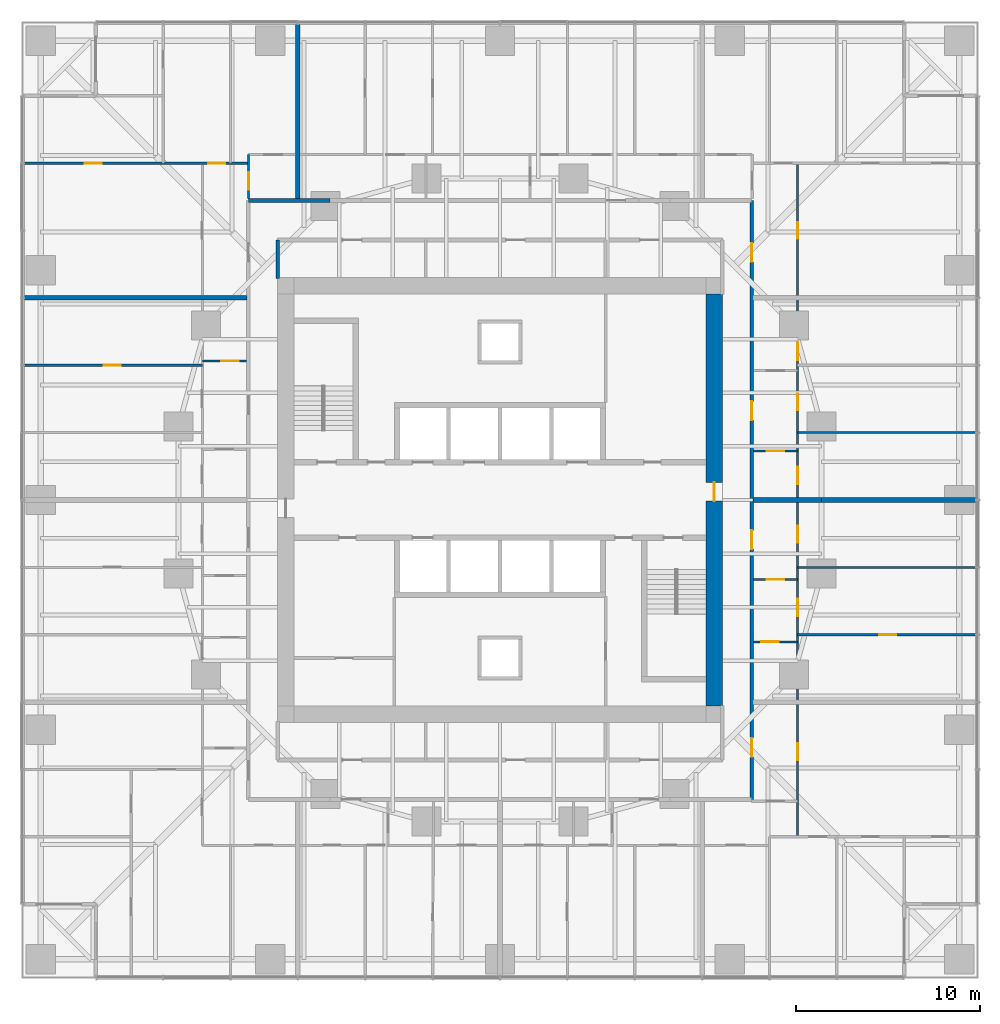
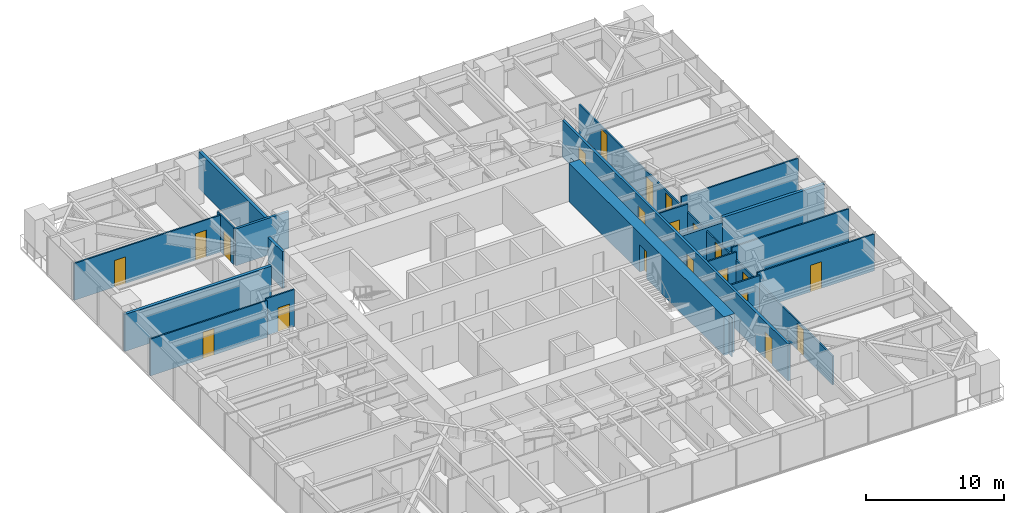
# One storey, part 11 of 14: 21 doors, 19 walls, 21 openings.
"""IFC4 building model written with IfcOpenShell, lengths in metres."""

from ifc_helpers import new_model, si_unit, direction, frame, frame_2d, origin, place, context, subcontext, project, spatial, polyline, rectangle, outline, extrude, material, layer, layer_set, type_object, element, fill, save


model = new_model("IFC4")

# Units and contexts
model_context = context("Model", 3, precision=1e-05, world=origin(), true_north=direction((0.0, 1.0)))
body_context = subcontext(model_context, "Body", "Model", "MODEL_VIEW")
ifc_project = project(units=[si_unit("LENGTHUNIT", "METRE"), si_unit("AREAUNIT", "SQUARE_METRE"), si_unit("VOLUMEUNIT", "CUBIC_METRE"), si_unit("PLANEANGLEUNIT", "RADIAN"), si_unit("MASSUNIT", "GRAM", prefix="KILO")], contexts=[model_context])

# Site, building, storey
site_placement = place(None, origin())
site = spatial("IfcSite", under=ifc_project, at=site_placement, CompositionType="ELEMENT")
building_placement = place(site_placement, origin())
building = spatial("IfcBuilding", under=site, at=building_placement, Name="Torsade Residences", CompositionType="ELEMENT")
storey_placement = place(building_placement, frame((0.0, 0.0, 32.0)))
storey = spatial("IfcBuildingStorey", under=building, at=storey_placement, Name="L08", CompositionType="ELEMENT", Elevation=32.0)

# Wall, opening, door
ifc_material_1 = material(Name="Concrete 80 MPa", Category="concrete")
ifc_layer_1 = layer(ifc_material_1, 0.89990234375)
ifc_layer_set_1 = layer_set([ifc_layer_1], Name="Concrete 80 MPa")
wall_type_1 = type_object("IfcWallType", Name="CORE WALL 900", PredefinedType="SHEAR", material=ifc_layer_set_1)
wall_1_placement = place(storey_placement, frame((51.64990234375, 18.800048828125, 0.0), z_axis=(0.0, 0.0, 1.0), x_axis=(0.0, 1.0, 0.0)))
wall_1 = element("IfcWall", 1, at=wall_1_placement, inside=storey, type_object=wall_type_1, Name="Core wall E L08", PredefinedType="SHEAR", context=body_context, shape_type="SweptSolid", body=[
    extrude(outline(polyline([(0.0, -0.449951171875), (22.39990234375, -0.449951171875), (22.39990234375, -0.02490234375), (22.849853515625, -0.02490234375), (22.849853515625, 0.02490234375), (22.39990234375, 0.02490234375), (22.39990234375, 0.449951171875), (0.0, 0.449951171875), (0.0, 0.02490234375), (-0.449951171875, 0.02490234375), (-0.449951171875, -0.02490234375), (0.0, -0.02490234375), (0.0, -0.449951171875)])), origin(), (0.0, 0.0, 1.0), 3.39990234375),
])
opening_1_placement = place(wall_1_placement, frame((11.139892578125, 0.0, 0.0)))
opening_1 = element("IfcOpeningElement", 2, at=opening_1_placement, cuts=wall_1, Name="Opening D04", PredefinedType="OPENING", context=body_context, shape_type="SweptSolid", body=[
    extrude(rectangle(XDim=1.02001953125, YDim=2.39990234375, at=frame_2d((0.510009765625, 1.199951171875))), frame((0.0, 0.4599609375, 0.0), z_axis=(0.0, -1.0, 0.0), x_axis=(1.0, 0.0, 0.0)), (0.0, 0.0, 1.0), 0.919921875),
])
ifc_material_2 = material(Name="Steel-framed fire door", Category="steel")
door_type_1 = type_object("IfcDoorType", Name="LOBBY SMOKE DOOR 1020x2400", OperationType="NOTDEFINED", PredefinedType="DOOR", material=ifc_material_2)
door_1_placement = place(opening_1_placement, origin())
door_1 = element("IfcDoor", 3, at=door_1_placement, inside=storey, type_object=door_type_1, Name="Lift lobby door E L08", OperationType="SINGLE_SWING_LEFT", OverallHeight=2.39990234375, OverallWidth=1.02001953125, PredefinedType="DOOR", context=body_context, shape_type="SweptSolid", body=[
    extrude(rectangle(XDim=1.02001953125, YDim=2.39990234375, at=frame_2d((0.510009765625, 1.199951171875))), frame((0.0, 0.02490234375, 0.0), z_axis=(0.0, -1.0, 0.0), x_axis=(1.0, 0.0, 0.0)), (0.0, 0.0, 1.0), 0.050048828125),
])
fill(opening_1, door_1)

# Wall, openings, doors
ifc_material_3 = material(Name="Plasterboard on steel stud", Category="steel")
ifc_layer_2 = layer(ifc_material_3, 0.199951171875)
ifc_layer_set_2 = layer_set([ifc_layer_2], Name="Plasterboard on steel stud")
wall_type_2 = type_object("IfcWallType", Name="CORRIDOR WALL 200", PredefinedType="PARTITIONING", material=ifc_layer_set_2)
wall_2_placement = place(storey_placement, frame((53.699951171875, 13.699951171875, 0.0), z_axis=(0.0, 0.0, 1.0), x_axis=(0.0, 1.0, 0.0)))
wall_2 = element("IfcWall", 4, at=wall_2_placement, inside=storey, type_object=wall_type_2, Name="Corridor wall L08", PredefinedType="PARTITIONING", context=body_context, shape_type="SweptSolid", body=[
    extrude(rectangle(XDim=32.60009765625, YDim=0.199951171875, at=frame_2d((16.300048828125, 0.0))), origin(), (0.0, 0.0, 1.0), 3.25),
])
opening_2_placement = place(wall_2_placement, frame((2.31494140625, 0.0, 0.0)))
opening_2 = element("IfcOpeningElement", 5, at=opening_2_placement, cuts=wall_2, Name="Opening D01", PredefinedType="OPENING", context=body_context, shape_type="SweptSolid", body=[
    extrude(rectangle(XDim=1.02001953125, YDim=2.340087890625, at=frame_2d((0.510009765625, 1.169921875))), frame((0.0, 0.10986328125, 0.0), z_axis=(0.0, -1.0, 0.0), x_axis=(1.0, 0.0, 0.0)), (0.0, 0.0, 1.0), 0.219970703125),
])
opening_3_placement = place(wall_2_placement, frame((29.264892578125, 0.0, 0.0)))
opening_3 = element("IfcOpeningElement", 6, at=opening_3_placement, cuts=wall_2, Name="Opening D01", PredefinedType="OPENING", context=body_context, shape_type="SweptSolid", body=[
    extrude(rectangle(XDim=1.02001953125, YDim=2.340087890625, at=frame_2d((0.510009765625, 1.169921875))), frame((0.0, 0.10986328125, 0.0), z_axis=(0.0, -1.0, 0.0), x_axis=(1.0, 0.0, 0.0)), (0.0, 0.0, 1.0), 0.219970703125),
])
opening_4_placement = place(wall_2_placement, frame((20.646240234375, 0.0, 0.0)))
opening_4 = element("IfcOpeningElement", 7, at=opening_4_placement, cuts=wall_2, Name="Opening D01", PredefinedType="OPENING", context=body_context, shape_type="SweptSolid", body=[
    extrude(rectangle(XDim=1.02001953125, YDim=2.340087890625, at=frame_2d((0.510009765625, 1.169921875))), frame((0.0, 0.10986328125, 0.0), z_axis=(0.0, -1.0, 0.0), x_axis=(1.0, 0.0, 0.0)), (0.0, 0.0, 1.0), 0.219970703125),
])
opening_5_placement = place(wall_2_placement, frame((13.6259765625, 0.0, 0.0)))
opening_5 = element("IfcOpeningElement", 8, at=opening_5_placement, cuts=wall_2, Name="Opening D01", PredefinedType="OPENING", context=body_context, shape_type="SweptSolid", body=[
    extrude(rectangle(XDim=1.02001953125, YDim=2.340087890625, at=frame_2d((0.510009765625, 1.169921875))), frame((0.0, 0.10986328125, 0.0), z_axis=(0.0, -1.0, 0.0), x_axis=(1.0, 0.0, 0.0)), (0.0, 0.0, 1.0), 0.219970703125),
])
ifc_material_4 = material(Name="Solid-core timber fire door", Category="wood")
door_type_2 = type_object("IfcDoorType", Name="APARTMENT ENTRY DOOR 1020x2340", OperationType="NOTDEFINED", PredefinedType="DOOR", material=ifc_material_4)
door_2_placement = place(opening_2_placement, origin())
door_2 = element("IfcDoor", 9, at=door_2_placement, inside=storey, type_object=door_type_2, Name="Door Residential corridor to Kitchen and dining", OperationType="SINGLE_SWING_LEFT", OverallHeight=2.340087890625, OverallWidth=1.02001953125, PredefinedType="DOOR", context=body_context, shape_type="SweptSolid", body=[
    extrude(rectangle(XDim=1.02001953125, YDim=2.340087890625, at=frame_2d((0.510009765625, 1.169921875))), frame((0.0, 0.02490234375, 0.0), z_axis=(0.0, -1.0, 0.0), x_axis=(1.0, 0.0, 0.0)), (0.0, 0.0, 1.0), 0.050048828125),
])
fill(opening_2, door_2)
door_3_placement = place(opening_3_placement, origin())
door_3 = element("IfcDoor", 10, at=door_3_placement, inside=storey, type_object=door_type_2, Name="Door Residential corridor to Kitchen and dining", OperationType="SINGLE_SWING_RIGHT", OverallHeight=2.340087890625, OverallWidth=1.02001953125, PredefinedType="DOOR", context=body_context, shape_type="SweptSolid", body=[
    extrude(rectangle(XDim=1.02001953125, YDim=2.340087890625, at=frame_2d((0.510009765625, 1.169921875))), frame((0.0, 0.02490234375, 0.0), z_axis=(0.0, -1.0, 0.0), x_axis=(1.0, 0.0, 0.0)), (0.0, 0.0, 1.0), 0.050048828125),
])
fill(opening_3, door_3)
door_4_placement = place(opening_4_placement, origin())
door_4 = element("IfcDoor", 11, at=door_4_placement, inside=storey, type_object=door_type_2, Name="Door Residential corridor to Kitchen and dining", OperationType="SINGLE_SWING_RIGHT", OverallHeight=2.340087890625, OverallWidth=1.02001953125, PredefinedType="DOOR", context=body_context, shape_type="SweptSolid", body=[
    extrude(rectangle(XDim=1.02001953125, YDim=2.340087890625, at=frame_2d((0.510009765625, 1.169921875))), frame((0.0, 0.02490234375, 0.0), z_axis=(0.0, -1.0, 0.0), x_axis=(1.0, 0.0, 0.0)), (0.0, 0.0, 1.0), 0.050048828125),
])
fill(opening_4, door_4)
door_5_placement = place(opening_5_placement, origin())
door_5 = element("IfcDoor", 12, at=door_5_placement, inside=storey, type_object=door_type_2, Name="Door Residential corridor to Kitchen and dining", OperationType="SINGLE_SWING_LEFT", OverallHeight=2.340087890625, OverallWidth=1.02001953125, PredefinedType="DOOR", context=body_context, shape_type="SweptSolid", body=[
    extrude(rectangle(XDim=1.02001953125, YDim=2.340087890625, at=frame_2d((0.510009765625, 1.169921875))), frame((0.0, 0.02490234375, 0.0), z_axis=(0.0, -1.0, 0.0), x_axis=(1.0, 0.0, 0.0)), (0.0, 0.0, 1.0), 0.050048828125),
])
fill(opening_5, door_5)

# Walls
wall_3_placement = place(storey_placement, frame((30.75830078125, 46.300048828125, 0.0), z_axis=(0.0, 0.0, 1.0), x_axis=(-1.0, 0.0, 0.0)))
element("IfcWall", 13, at=wall_3_placement, inside=storey, type_object=wall_type_2, Name="Corridor wall L08", PredefinedType="PARTITIONING", context=body_context, shape_type="SweptSolid", body=[
    extrude(rectangle(XDim=4.458251953125, YDim=0.199951171875, at=frame_2d((2.22900390625, 0.0))), origin(), (0.0, 0.0, 1.0), 3.25),
])
wall_4_placement = place(storey_placement, frame((27.89990234375, 44.14990234375, 0.0), z_axis=(0.0, 0.0, 1.0), x_axis=(0.0, -1.0, 0.0)))
element("IfcWall", 14, at=wall_4_placement, inside=storey, type_object=wall_type_2, Name="Corridor wall L08", PredefinedType="PARTITIONING", context=body_context, shape_type="SweptSolid", body=[
    extrude(rectangle(XDim=2.099853515625, YDim=0.199951171875, at=frame_2d((1.0498046875, 0.0))), origin(), (0.0, 0.0, 1.0), 3.25),
])

# Wall, openings, doors
ifc_material_5 = material(Name="Plasterboard on steel stud", Category="steel")
ifc_layer_3 = layer(ifc_material_5, 0.1201171875)
ifc_layer_set_3 = layer_set([ifc_layer_3], Name="Plasterboard on steel stud")
wall_type_3 = type_object("IfcWallType", Name="PARTITION 120", PredefinedType="PARTITIONING", material=ifc_layer_set_3)
wall_5_placement = place(storey_placement, frame((56.199951171875, 48.333251953125, 0.0), z_axis=(0.0, 0.0, 1.0), x_axis=(0.0, -1.0, 0.0)))
wall_5 = element("IfcWall", 15, at=wall_5_placement, inside=storey, type_object=wall_type_3, Name="Partition L08", PredefinedType="PARTITIONING", context=body_context, shape_type="SweptSolid", body=[
    extrude(rectangle(XDim=36.66650390625, YDim=0.1201171875, at=frame_2d((18.333251953125, 0.0))), origin(), (0.0, 0.0, 1.0), 2.550048828125),
])
opening_6_placement = place(wall_5_placement, frame((31.5732421875, 0.0, 0.0)))
opening_6 = element("IfcOpeningElement", 16, at=opening_6_placement, cuts=wall_5, Name="Opening D02", PredefinedType="OPENING", context=body_context, shape_type="SweptSolid", body=[
    extrude(rectangle(XDim=0.919921875, YDim=2.340087890625, at=frame_2d((0.4599609375, 1.169921875))), frame((0.0, 0.070068359375, 0.0), z_axis=(0.0, -1.0, 0.0), x_axis=(1.0, 0.0, 0.0)), (0.0, 0.0, 1.0), 0.14013671875),
])
opening_7_placement = place(wall_5_placement, frame((3.20654296875, 0.0, 0.0)))
opening_7 = element("IfcOpeningElement", 17, at=opening_7_placement, cuts=wall_5, Name="Opening D02", PredefinedType="OPENING", context=body_context, shape_type="SweptSolid", body=[
    extrude(rectangle(XDim=0.919921875, YDim=2.340087890625, at=frame_2d((0.4599609375, 1.169921875))), frame((0.0, 0.070068359375, 0.0), z_axis=(0.0, -1.0, 0.0), x_axis=(1.0, 0.0, 0.0)), (0.0, 0.0, 1.0), 0.14013671875),
])
opening_8_placement = place(wall_5_placement, frame((12.541748046875, 0.0, 0.0)))
opening_8 = element("IfcOpeningElement", 18, at=opening_8_placement, cuts=wall_5, Name="Opening D02", PredefinedType="OPENING", context=body_context, shape_type="SweptSolid", body=[
    extrude(rectangle(XDim=0.919921875, YDim=2.340087890625, at=frame_2d((0.4599609375, 1.169921875))), frame((0.0, 0.070068359375, 0.0), z_axis=(0.0, -1.0, 0.0), x_axis=(1.0, 0.0, 0.0)), (0.0, 0.0, 1.0), 0.14013671875),
])
opening_9_placement = place(wall_5_placement, frame((19.731689453125, 0.0, 0.0)))
opening_9 = element("IfcOpeningElement", 19, at=opening_9_placement, cuts=wall_5, Name="Opening D02", PredefinedType="OPENING", context=body_context, shape_type="SweptSolid", body=[
    extrude(rectangle(XDim=0.919921875, YDim=2.340087890625, at=frame_2d((0.4599609375, 1.169921875))), frame((0.0, 0.070068359375, 0.0), z_axis=(0.0, -1.0, 0.0), x_axis=(1.0, 0.0, 0.0)), (0.0, 0.0, 1.0), 0.14013671875),
])
opening_10_placement = place(wall_5_placement, frame((9.76171875, 0.0, 0.0)))
opening_10 = element("IfcOpeningElement", 20, at=opening_10_placement, cuts=wall_5, Name="Opening D05", PredefinedType="OPENING", context=body_context, shape_type="SweptSolid", body=[
    extrude(rectangle(XDim=0.9599609375, YDim=2.10009765625, at=frame_2d((0.47998046875, 1.050048828125))), frame((0.0, 0.070068359375, 0.0), z_axis=(0.0, -1.0, 0.0), x_axis=(1.0, 0.0, 0.0)), (0.0, 0.0, 1.0), 0.14013671875),
])
opening_11_placement = place(wall_5_placement, frame((16.520263671875, 0.0, 0.0)))
opening_11 = element("IfcOpeningElement", 21, at=opening_11_placement, cuts=wall_5, Name="Opening D05", PredefinedType="OPENING", context=body_context, shape_type="SweptSolid", body=[
    extrude(rectangle(XDim=0.9599609375, YDim=2.10009765625, at=frame_2d((0.47998046875, 1.050048828125))), frame((0.0, 0.070068359375, 0.0), z_axis=(0.0, -1.0, 0.0), x_axis=(1.0, 0.0, 0.0)), (0.0, 0.0, 1.0), 0.14013671875),
])
opening_12_placement = place(wall_5_placement, frame((23.708984375, 0.0, 0.0)))
opening_12 = element("IfcOpeningElement", 22, at=opening_12_placement, cuts=wall_5, Name="Opening D05", PredefinedType="OPENING", context=body_context, shape_type="SweptSolid", body=[
    extrude(rectangle(XDim=0.9599609375, YDim=2.10009765625, at=frame_2d((0.47998046875, 1.050048828125))), frame((0.0, 0.070068359375, 0.0), z_axis=(0.0, -1.0, 0.0), x_axis=(1.0, 0.0, 0.0)), (0.0, 0.0, 1.0), 0.14013671875),
])
ifc_material_6 = material(Name="Hollow-core timber door in a steel cavity frame", Category="steel")
door_type_3 = type_object("IfcDoorType", Name="BATHROOM CAVITY SLIDING DOOR 960", OperationType="SLIDING_TO_LEFT", PredefinedType="DOOR", material=ifc_material_6)
door_6_placement = place(opening_10_placement, origin())
door_6 = element("IfcDoor", 23, at=door_6_placement, inside=storey, type_object=door_type_3, Name="Door Bathroom to Bedroom 1", OperationType="SLIDING_TO_LEFT", OverallHeight=2.10009765625, OverallWidth=0.9599609375, PredefinedType="DOOR", context=body_context, shape_type="SweptSolid", body=[
    extrude(rectangle(XDim=0.9599609375, YDim=2.10009765625, at=frame_2d((0.47998046875, 1.050048828125))), frame((0.0, 0.02490234375, 0.0), z_axis=(0.0, -1.0, 0.0), x_axis=(1.0, 0.0, 0.0)), (0.0, 0.0, 1.0), 0.050048828125),
])
fill(opening_10, door_6)
door_7_placement = place(opening_11_placement, origin())
door_7 = element("IfcDoor", 24, at=door_7_placement, inside=storey, type_object=door_type_3, Name="Door Ensuite to Living room", OperationType="SLIDING_TO_LEFT", OverallHeight=2.10009765625, OverallWidth=0.9599609375, PredefinedType="DOOR", context=body_context, shape_type="SweptSolid", body=[
    extrude(rectangle(XDim=0.9599609375, YDim=2.10009765625, at=frame_2d((0.47998046875, 1.050048828125))), frame((0.0, 0.02490234375, 0.0), z_axis=(0.0, -1.0, 0.0), x_axis=(1.0, 0.0, 0.0)), (0.0, 0.0, 1.0), 0.050048828125),
])
fill(opening_11, door_7)
door_8_placement = place(opening_12_placement, origin())
door_8 = element("IfcDoor", 25, at=door_8_placement, inside=storey, type_object=door_type_3, Name="Door Bathroom to Bedroom 2", OperationType="SLIDING_TO_LEFT", OverallHeight=2.10009765625, OverallWidth=0.9599609375, PredefinedType="DOOR", context=body_context, shape_type="SweptSolid", body=[
    extrude(rectangle(XDim=0.9599609375, YDim=2.10009765625, at=frame_2d((0.47998046875, 1.050048828125))), frame((0.0, 0.02490234375, 0.0), z_axis=(0.0, -1.0, 0.0), x_axis=(1.0, 0.0, 0.0)), (0.0, 0.0, 1.0), 0.050048828125),
])
fill(opening_12, door_8)
ifc_material_7 = material(Name="Hollow-core timber door", Category="wood")
door_type_4 = type_object("IfcDoorType", Name="INTERNAL DOOR 920x2340", OperationType="NOTDEFINED", PredefinedType="DOOR", material=ifc_material_7)
door_9_placement = place(opening_6_placement, origin())
door_9 = element("IfcDoor", 26, at=door_9_placement, inside=storey, type_object=door_type_4, Name="Door Kitchen and dining to Living room", OperationType="SINGLE_SWING_LEFT", OverallHeight=2.340087890625, OverallWidth=0.919921875, PredefinedType="DOOR", context=body_context, shape_type="SweptSolid", body=[
    extrude(rectangle(XDim=0.919921875, YDim=2.340087890625, at=frame_2d((0.4599609375, 1.169921875))), frame((0.0, 0.02490234375, 0.0), z_axis=(0.0, -1.0, 0.0), x_axis=(1.0, 0.0, 0.0)), (0.0, 0.0, 1.0), 0.050048828125),
])
fill(opening_6, door_9)
door_10_placement = place(opening_7_placement, origin())
door_10 = element("IfcDoor", 27, at=door_10_placement, inside=storey, type_object=door_type_4, Name="Door Kitchen and dining to Living room", OperationType="SINGLE_SWING_RIGHT", OverallHeight=2.340087890625, OverallWidth=0.919921875, PredefinedType="DOOR", context=body_context, shape_type="SweptSolid", body=[
    extrude(rectangle(XDim=0.919921875, YDim=2.340087890625, at=frame_2d((0.4599609375, 1.169921875))), frame((0.0, 0.02490234375, 0.0), z_axis=(0.0, -1.0, 0.0), x_axis=(1.0, 0.0, 0.0)), (0.0, 0.0, 1.0), 0.050048828125),
])
fill(opening_7, door_10)
door_11_placement = place(opening_8_placement, origin())
door_11 = element("IfcDoor", 28, at=door_11_placement, inside=storey, type_object=door_type_4, Name="Door Kitchen and dining to Bedroom 2", OperationType="SINGLE_SWING_RIGHT", OverallHeight=2.340087890625, OverallWidth=0.919921875, PredefinedType="DOOR", context=body_context, shape_type="SweptSolid", body=[
    extrude(rectangle(XDim=0.919921875, YDim=2.340087890625, at=frame_2d((0.4599609375, 1.169921875))), frame((0.0, 0.02490234375, 0.0), z_axis=(0.0, -1.0, 0.0), x_axis=(1.0, 0.0, 0.0)), (0.0, 0.0, 1.0), 0.050048828125),
])
fill(opening_8, door_11)
door_12_placement = place(opening_9_placement, origin())
door_12 = element("IfcDoor", 29, at=door_12_placement, inside=storey, type_object=door_type_4, Name="Door Kitchen and dining to Bedroom 1", OperationType="SINGLE_SWING_LEFT", OverallHeight=2.340087890625, OverallWidth=0.919921875, PredefinedType="DOOR", context=body_context, shape_type="SweptSolid", body=[
    extrude(rectangle(XDim=0.919921875, YDim=2.340087890625, at=frame_2d((0.4599609375, 1.169921875))), frame((0.0, 0.02490234375, 0.0), z_axis=(0.0, -1.0, 0.0), x_axis=(1.0, 0.0, 0.0)), (0.0, 0.0, 1.0), 0.050048828125),
])
fill(opening_9, door_12)

# Wall, opening, door
wall_6_placement = place(storey_placement, frame((56.199951171875, 25.671875, 0.0), z_axis=(0.0, 0.0, 1.0), x_axis=(-1.0, 0.0, 0.0)))
wall_6 = element("IfcWall", 30, at=wall_6_placement, inside=storey, type_object=wall_type_3, Name="Partition L08", PredefinedType="PARTITIONING", context=body_context, shape_type="SweptSolid", body=[
    extrude(rectangle(XDim=2.39990234375, YDim=0.1201171875, at=frame_2d((1.199951171875, 0.0))), origin(), (0.0, 0.0, 1.0), 3.25),
])
opening_13_placement = place(wall_6_placement, frame((0.719970703125, 0.0, 0.0)))
opening_13 = element("IfcOpeningElement", 31, at=opening_13_placement, cuts=wall_6, Name="Opening D05", PredefinedType="OPENING", context=body_context, shape_type="SweptSolid", body=[
    extrude(rectangle(XDim=0.9599609375, YDim=2.10009765625, at=frame_2d((0.47998046875, 1.050048828125))), frame((0.0, 0.070068359375, 0.0), z_axis=(0.0, -1.0, 0.0), x_axis=(1.0, 0.0, 0.0)), (0.0, 0.0, 1.0), 0.14013671875),
])
door_13_placement = place(opening_13_placement, origin())
door_13 = element("IfcDoor", 32, at=door_13_placement, inside=storey, type_object=door_type_3, Name="Door Kitchen and dining to Bathroom", OperationType="SLIDING_TO_LEFT", OverallHeight=2.10009765625, OverallWidth=0.9599609375, PredefinedType="DOOR", context=body_context, shape_type="SweptSolid", body=[
    extrude(rectangle(XDim=0.9599609375, YDim=2.10009765625, at=frame_2d((0.47998046875, 1.050048828125))), frame((0.0, 0.02490234375, 0.0), z_axis=(0.0, -1.0, 0.0), x_axis=(1.0, 0.0, 0.0)), (0.0, 0.0, 1.0), 0.050048828125),
])
fill(opening_13, door_13)

wall_7_placement = place(storey_placement, frame((56.199951171875, 22.278076171875, 0.0), z_axis=(0.0, 0.0, 1.0), x_axis=(-1.0, 0.0, 0.0)))
wall_7 = element("IfcWall", 33, at=wall_7_placement, inside=storey, type_object=wall_type_3, Name="Partition L08", PredefinedType="PARTITIONING", context=body_context, shape_type="SweptSolid", body=[
    extrude(rectangle(XDim=2.39990234375, YDim=0.1201171875, at=frame_2d((1.199951171875, 0.0))), origin(), (0.0, 0.0, 1.0), 3.25),
])
opening_14_placement = place(wall_7_placement, frame((1.02001953125, 0.0, 0.0)))
opening_14 = element("IfcOpeningElement", 34, at=opening_14_placement, cuts=wall_7, Name="Opening D05", PredefinedType="OPENING", context=body_context, shape_type="SweptSolid", body=[
    extrude(rectangle(XDim=0.9599609375, YDim=2.10009765625, at=frame_2d((0.47998046875, 1.050048828125))), frame((0.0, 0.070068359375, 0.0), z_axis=(0.0, -1.0, 0.0), x_axis=(1.0, 0.0, 0.0)), (0.0, 0.0, 1.0), 0.14013671875),
])
door_14_placement = place(opening_14_placement, origin())
door_14 = element("IfcDoor", 35, at=door_14_placement, inside=storey, type_object=door_type_3, Name="Door Bathroom to Ensuite", OperationType="SLIDING_TO_LEFT", OverallHeight=2.10009765625, OverallWidth=0.9599609375, PredefinedType="DOOR", context=body_context, shape_type="SweptSolid", body=[
    extrude(rectangle(XDim=0.9599609375, YDim=2.10009765625, at=frame_2d((0.47998046875, 1.050048828125))), frame((0.0, 0.02490234375, 0.0), z_axis=(0.0, -1.0, 0.0), x_axis=(1.0, 0.0, 0.0)), (0.0, 0.0, 1.0), 0.050048828125),
])
fill(opening_14, door_14)

wall_8_placement = place(storey_placement, frame((56.199951171875, 22.666748046875, 0.0), z_axis=(0.0, 0.0, 1.0), x_axis=(1.0, 0.0, 0.0)))
wall_8 = element("IfcWall", 36, at=wall_8_placement, inside=storey, type_object=wall_type_3, Name="Partition L08", PredefinedType="PARTITIONING", context=body_context, shape_type="SweptSolid", body=[
    extrude(rectangle(XDim=9.760009765625, YDim=0.1201171875, at=frame_2d((4.8798828125, 0.0))), origin(), (0.0, 0.0, 1.0), 3.25),
])
opening_15_placement = place(wall_8_placement, frame((4.43994140625, 0.0, 0.0)))
opening_15 = element("IfcOpeningElement", 37, at=opening_15_placement, cuts=wall_8, Name="Opening D02", PredefinedType="OPENING", context=body_context, shape_type="SweptSolid", body=[
    extrude(rectangle(XDim=0.919921875, YDim=2.340087890625, at=frame_2d((0.4599609375, 1.169921875))), frame((0.0, 0.070068359375, 0.0), z_axis=(0.0, -1.0, 0.0), x_axis=(1.0, 0.0, 0.0)), (0.0, 0.0, 1.0), 0.14013671875),
])
door_15_placement = place(opening_15_placement, origin())
door_15 = element("IfcDoor", 38, at=door_15_placement, inside=storey, type_object=door_type_4, Name="Door Bedroom 2 to Living room", OperationType="SINGLE_SWING_LEFT", OverallHeight=2.340087890625, OverallWidth=0.919921875, PredefinedType="DOOR", context=body_context, shape_type="SweptSolid", body=[
    extrude(rectangle(XDim=0.919921875, YDim=2.340087890625, at=frame_2d((0.4599609375, 1.169921875))), frame((0.0, 0.02490234375, 0.0), z_axis=(0.0, -1.0, 0.0), x_axis=(1.0, 0.0, 0.0)), (0.0, 0.0, 1.0), 0.050048828125),
])
fill(opening_15, door_15)

# Wall
wall_9_placement = place(storey_placement, frame((65.9599609375, 26.333251953125, 0.0), z_axis=(0.0, 0.0, 1.0), x_axis=(-1.0, 0.0, 0.0)))
element("IfcWall", 39, at=wall_9_placement, inside=storey, type_object=wall_type_3, Name="Partition L08", PredefinedType="PARTITIONING", context=body_context, shape_type="SweptSolid", body=[
    extrude(rectangle(XDim=9.760009765625, YDim=0.1201171875, at=frame_2d((4.8798828125, 0.0))), origin(), (0.0, 0.0, 1.0), 3.25),
])

# Wall, opening, door
wall_10_placement = place(storey_placement, frame((56.199951171875, 32.666015625, 0.0), z_axis=(0.0, 0.0, 1.0), x_axis=(-1.0, 0.0, 0.0)))
wall_10 = element("IfcWall", 40, at=wall_10_placement, inside=storey, type_object=wall_type_3, Name="Partition L08", PredefinedType="PARTITIONING", context=body_context, shape_type="SweptSolid", body=[
    extrude(rectangle(XDim=2.39990234375, YDim=0.1201171875, at=frame_2d((1.199951171875, 0.0))), origin(), (0.0, 0.0, 1.0), 3.25),
])
opening_16_placement = place(wall_10_placement, frame((0.719970703125, 0.0, 0.0)))
opening_16 = element("IfcOpeningElement", 41, at=opening_16_placement, cuts=wall_10, Name="Opening D05", PredefinedType="OPENING", context=body_context, shape_type="SweptSolid", body=[
    extrude(rectangle(XDim=0.9599609375, YDim=2.10009765625, at=frame_2d((0.47998046875, 1.050048828125))), frame((0.0, 0.070068359375, 0.0), z_axis=(0.0, -1.0, 0.0), x_axis=(1.0, 0.0, 0.0)), (0.0, 0.0, 1.0), 0.14013671875),
])
door_16_placement = place(opening_16_placement, origin())
door_16 = element("IfcDoor", 42, at=door_16_placement, inside=storey, type_object=door_type_3, Name="Door Kitchen and dining to Ensuite", OperationType="SLIDING_TO_LEFT", OverallHeight=2.10009765625, OverallWidth=0.9599609375, PredefinedType="DOOR", context=body_context, shape_type="SweptSolid", body=[
    extrude(rectangle(XDim=0.9599609375, YDim=2.10009765625, at=frame_2d((0.47998046875, 1.050048828125))), frame((0.0, 0.02490234375, 0.0), z_axis=(0.0, -1.0, 0.0), x_axis=(1.0, 0.0, 0.0)), (0.0, 0.0, 1.0), 0.050048828125),
])
fill(opening_16, door_16)

# Wall
wall_11_placement = place(storey_placement, frame((56.199951171875, 33.666748046875, 0.0), z_axis=(0.0, 0.0, 1.0), x_axis=(1.0, 0.0, 0.0)))
element("IfcWall", 43, at=wall_11_placement, inside=storey, type_object=wall_type_3, Name="Partition L08", PredefinedType="PARTITIONING", context=body_context, shape_type="SweptSolid", body=[
    extrude(rectangle(XDim=9.760009765625, YDim=0.1201171875, at=frame_2d((4.8798828125, 0.0))), origin(), (0.0, 0.0, 1.0), 3.25),
])

# Wall, opening, door
wall_12_placement = place(storey_placement, frame((26.314697265625, 48.800048828125, 0.0), z_axis=(0.0, 0.0, 1.0), x_axis=(0.0, -1.0, 0.0)))
wall_12 = element("IfcWall", 44, at=wall_12_placement, inside=storey, type_object=wall_type_3, Name="Partition L08", PredefinedType="PARTITIONING", context=body_context, shape_type="SweptSolid", body=[
    extrude(rectangle(XDim=2.400146484375, YDim=0.1201171875, at=frame_2d((1.2001953125, 0.0))), origin(), (0.0, 0.0, 1.0), 3.25),
])
opening_17_placement = place(wall_12_placement, frame((0.953369140625, 0.0, 0.0)))
opening_17 = element("IfcOpeningElement", 45, at=opening_17_placement, cuts=wall_12, Name="Opening D05", PredefinedType="OPENING", context=body_context, shape_type="SweptSolid", body=[
    extrude(rectangle(XDim=0.9599609375, YDim=2.10009765625, at=frame_2d((0.47998046875, 1.050048828125))), frame((0.0, 0.070068359375, 0.0), z_axis=(0.0, -1.0, 0.0), x_axis=(1.0, 0.0, 0.0)), (0.0, 0.0, 1.0), 0.14013671875),
])
door_17_placement = place(opening_17_placement, origin())
door_17 = element("IfcDoor", 46, at=door_17_placement, inside=storey, type_object=door_type_3, Name="Door Kitchen and dining to Bathroom", OperationType="SLIDING_TO_LEFT", OverallHeight=2.10009765625, OverallWidth=0.9599609375, PredefinedType="DOOR", context=body_context, shape_type="SweptSolid", body=[
    extrude(rectangle(XDim=0.9599609375, YDim=2.10009765625, at=frame_2d((0.47998046875, 1.050048828125))), frame((0.0, 0.02490234375, 0.0), z_axis=(0.0, -1.0, 0.0), x_axis=(1.0, 0.0, 0.0)), (0.0, 0.0, 1.0), 0.050048828125),
])
fill(opening_17, door_17)

# Wall, openings, doors
wall_13_placement = place(storey_placement, frame((14.0400390625, 48.333251953125, 0.0), z_axis=(0.0, 0.0, 1.0), x_axis=(1.0, 0.0, 0.0)))
wall_13 = element("IfcWall", 47, at=wall_13_placement, inside=storey, type_object=wall_type_3, Name="Partition L08", PredefinedType="PARTITIONING", context=body_context, shape_type="SweptSolid", body=[
    extrude(rectangle(XDim=12.274658203125, YDim=0.1201171875, at=frame_2d((6.13720703125, 0.0))), origin(), (0.0, 0.0, 1.0), 3.25),
])
opening_18_placement = place(wall_13_placement, frame((10.091552734375, 0.0, 0.0)))
opening_18 = element("IfcOpeningElement", 48, at=opening_18_placement, cuts=wall_13, Name="Opening D02", PredefinedType="OPENING", context=body_context, shape_type="SweptSolid", body=[
    extrude(rectangle(XDim=0.919921875, YDim=2.340087890625, at=frame_2d((0.4599609375, 1.169921875))), frame((0.0, 0.070068359375, 0.0), z_axis=(0.0, -1.0, 0.0), x_axis=(1.0, 0.0, 0.0)), (0.0, 0.0, 1.0), 0.14013671875),
])
opening_19_placement = place(wall_13_placement, frame((3.3583984375, 0.0, 0.0)))
opening_19 = element("IfcOpeningElement", 49, at=opening_19_placement, cuts=wall_13, Name="Opening D02", PredefinedType="OPENING", context=body_context, shape_type="SweptSolid", body=[
    extrude(rectangle(XDim=0.919921875, YDim=2.340087890625, at=frame_2d((0.4599609375, 1.169921875))), frame((0.0, 0.070068359375, 0.0), z_axis=(0.0, -1.0, 0.0), x_axis=(1.0, 0.0, 0.0)), (0.0, 0.0, 1.0), 0.14013671875),
])
door_18_placement = place(opening_18_placement, origin())
door_18 = element("IfcDoor", 50, at=door_18_placement, inside=storey, type_object=door_type_4, Name="Door Kitchen and dining to Bedroom 2", OperationType="SINGLE_SWING_RIGHT", OverallHeight=2.340087890625, OverallWidth=0.919921875, PredefinedType="DOOR", context=body_context, shape_type="SweptSolid", body=[
    extrude(rectangle(XDim=0.919921875, YDim=2.340087890625, at=frame_2d((0.4599609375, 1.169921875))), frame((0.0, 0.02490234375, 0.0), z_axis=(0.0, -1.0, 0.0), x_axis=(1.0, 0.0, 0.0)), (0.0, 0.0, 1.0), 0.050048828125),
])
fill(opening_18, door_18)
door_19_placement = place(opening_19_placement, origin())
door_19 = element("IfcDoor", 51, at=door_19_placement, inside=storey, type_object=door_type_4, Name="Door Living room to Bedroom 1", OperationType="SINGLE_SWING_RIGHT", OverallHeight=2.340087890625, OverallWidth=0.919921875, PredefinedType="DOOR", context=body_context, shape_type="SweptSolid", body=[
    extrude(rectangle(XDim=0.919921875, YDim=2.340087890625, at=frame_2d((0.4599609375, 1.169921875))), frame((0.0, 0.02490234375, 0.0), z_axis=(0.0, -1.0, 0.0), x_axis=(1.0, 0.0, 0.0)), (0.0, 0.0, 1.0), 0.050048828125),
])
fill(opening_19, door_19)

# Wall, opening, door
wall_14_placement = place(storey_placement, frame((23.800048828125, 37.564697265625, 0.0), z_axis=(0.0, 0.0, 1.0), x_axis=(1.0, 0.0, 0.0)))
wall_14 = element("IfcWall", 52, at=wall_14_placement, inside=storey, type_object=wall_type_3, Name="Partition L08", PredefinedType="PARTITIONING", context=body_context, shape_type="SweptSolid", body=[
    extrude(rectangle(XDim=2.39990234375, YDim=0.1201171875, at=frame_2d((1.199951171875, 0.0))), origin(), (0.0, 0.0, 1.0), 3.25),
])
opening_20_placement = place(wall_14_placement, frame((1.02001953125, 0.0, 0.0)))
opening_20 = element("IfcOpeningElement", 53, at=opening_20_placement, cuts=wall_14, Name="Opening D05", PredefinedType="OPENING", context=body_context, shape_type="SweptSolid", body=[
    extrude(rectangle(XDim=0.9599609375, YDim=2.10009765625, at=frame_2d((0.47998046875, 1.050048828125))), frame((0.0, 0.070068359375, 0.0), z_axis=(0.0, -1.0, 0.0), x_axis=(1.0, 0.0, 0.0)), (0.0, 0.0, 1.0), 0.14013671875),
])
door_20_placement = place(opening_20_placement, origin())
door_20 = element("IfcDoor", 54, at=door_20_placement, inside=storey, type_object=door_type_3, Name="Door Kitchen and dining to Bathroom", OperationType="SLIDING_TO_LEFT", OverallHeight=2.10009765625, OverallWidth=0.9599609375, PredefinedType="DOOR", context=body_context, shape_type="SweptSolid", body=[
    extrude(rectangle(XDim=0.9599609375, YDim=2.10009765625, at=frame_2d((0.47998046875, 1.050048828125))), frame((0.0, 0.02490234375, 0.0), z_axis=(0.0, -1.0, 0.0), x_axis=(1.0, 0.0, 0.0)), (0.0, 0.0, 1.0), 0.050048828125),
])
fill(opening_20, door_20)

wall_15_placement = place(storey_placement, frame((23.800048828125, 37.333251953125, 0.0), z_axis=(0.0, 0.0, 1.0), x_axis=(-1.0, 0.0, 0.0)))
wall_15 = element("IfcWall", 55, at=wall_15_placement, inside=storey, type_object=wall_type_3, Name="Partition L08", PredefinedType="PARTITIONING", context=body_context, shape_type="SweptSolid", body=[
    extrude(rectangle(XDim=9.760009765625, YDim=0.1201171875, at=frame_2d((4.8798828125, 0.0))), origin(), (0.0, 0.0, 1.0), 3.25),
])
opening_21_placement = place(wall_15_placement, frame((4.43994140625, 0.0, 0.0)))
opening_21 = element("IfcOpeningElement", 56, at=opening_21_placement, cuts=wall_15, Name="Opening D02", PredefinedType="OPENING", context=body_context, shape_type="SweptSolid", body=[
    extrude(rectangle(XDim=0.919921875, YDim=2.340087890625, at=frame_2d((0.4599609375, 1.169921875))), frame((0.0, 0.070068359375, 0.0), z_axis=(0.0, -1.0, 0.0), x_axis=(1.0, 0.0, 0.0)), (0.0, 0.0, 1.0), 0.14013671875),
])
door_21_placement = place(opening_21_placement, origin())
door_21 = element("IfcDoor", 57, at=door_21_placement, inside=storey, type_object=door_type_4, Name="Door Bedroom 2 to Living room", OperationType="SINGLE_SWING_RIGHT", OverallHeight=2.340087890625, OverallWidth=0.919921875, PredefinedType="DOOR", context=body_context, shape_type="SweptSolid", body=[
    extrude(rectangle(XDim=0.919921875, YDim=2.340087890625, at=frame_2d((0.4599609375, 1.169921875))), frame((0.0, 0.02490234375, 0.0), z_axis=(0.0, -1.0, 0.0), x_axis=(1.0, 0.0, 0.0)), (0.0, 0.0, 1.0), 0.050048828125),
])
fill(opening_21, door_21)

# Walls
ifc_material_8 = material(Name="Masonry-lined stud party wall", Category="masonry")
ifc_layer_4 = layer(ifc_material_8, 0.25)
ifc_layer_set_4 = layer_set([ifc_layer_4], Name="Masonry-lined stud party wall")
wall_type_4 = type_object("IfcWallType", Name="PARTY WALL 250", PredefinedType="PARTITIONING", material=ifc_layer_set_4)
wall_16_placement = place(storey_placement, frame((29.0, 56.0, 0.0), z_axis=(0.0, 0.0, 1.0), x_axis=(0.0, -1.0, 0.0)))
element("IfcWall", 58, at=wall_16_placement, inside=storey, type_object=wall_type_4, Name="Party wall L08", PredefinedType="PARTITIONING", context=body_context, shape_type="SweptSolid", body=[
    extrude(rectangle(XDim=9.639892578125, YDim=0.25, at=frame_2d((4.81982421875, 0.0))), origin(), (0.0, 0.0, 1.0), 3.25),
])
wall_17_placement = place(storey_placement, frame((14.0, 41.0, 0.0), z_axis=(0.0, 0.0, 1.0), x_axis=(1.0, 0.0, 0.0)))
element("IfcWall", 59, at=wall_17_placement, inside=storey, type_object=wall_type_4, Name="Party wall L08", PredefinedType="PARTITIONING", context=body_context, shape_type="SweptSolid", body=[
    extrude(rectangle(XDim=12.239990234375, YDim=0.25, at=frame_2d((6.1201171875, 0.0))), origin(), (0.0, 0.0, 1.0), 3.25),
])
wall_18_placement = place(storey_placement, frame((66.0, 30.0, 0.0), z_axis=(0.0, 0.0, 1.0), x_axis=(-1.0, 0.0, 0.0)))
element("IfcWall", 60, at=wall_18_placement, inside=storey, type_object=wall_type_4, Name="Party wall L08", PredefinedType="PARTITIONING", context=body_context, shape_type="SweptSolid", body=[
    extrude(rectangle(XDim=8.5, YDim=0.25, at=frame_2d((4.25, 0.0))), origin(), (0.0, 0.0, 1.0), 3.25),
])
wall_19_placement = place(storey_placement, frame((57.5, 30.0, 0.0), z_axis=(0.0, 0.0, 1.0), x_axis=(-1.0, 0.0, 0.0)))
element("IfcWall", 61, at=wall_19_placement, inside=storey, type_object=wall_type_4, Name="Party wall L08", PredefinedType="PARTITIONING", context=body_context, shape_type="SweptSolid", body=[
    extrude(rectangle(XDim=3.739990234375, YDim=0.25, at=frame_2d((1.8701171875, 0.0))), origin(), (0.0, 0.0, 1.0), 2.7958984375),
])

save(model, "model.ifc")
